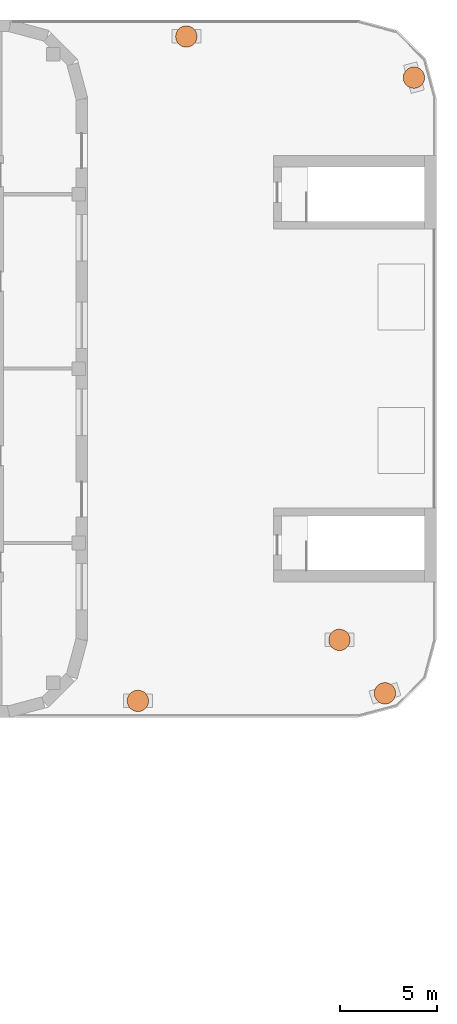
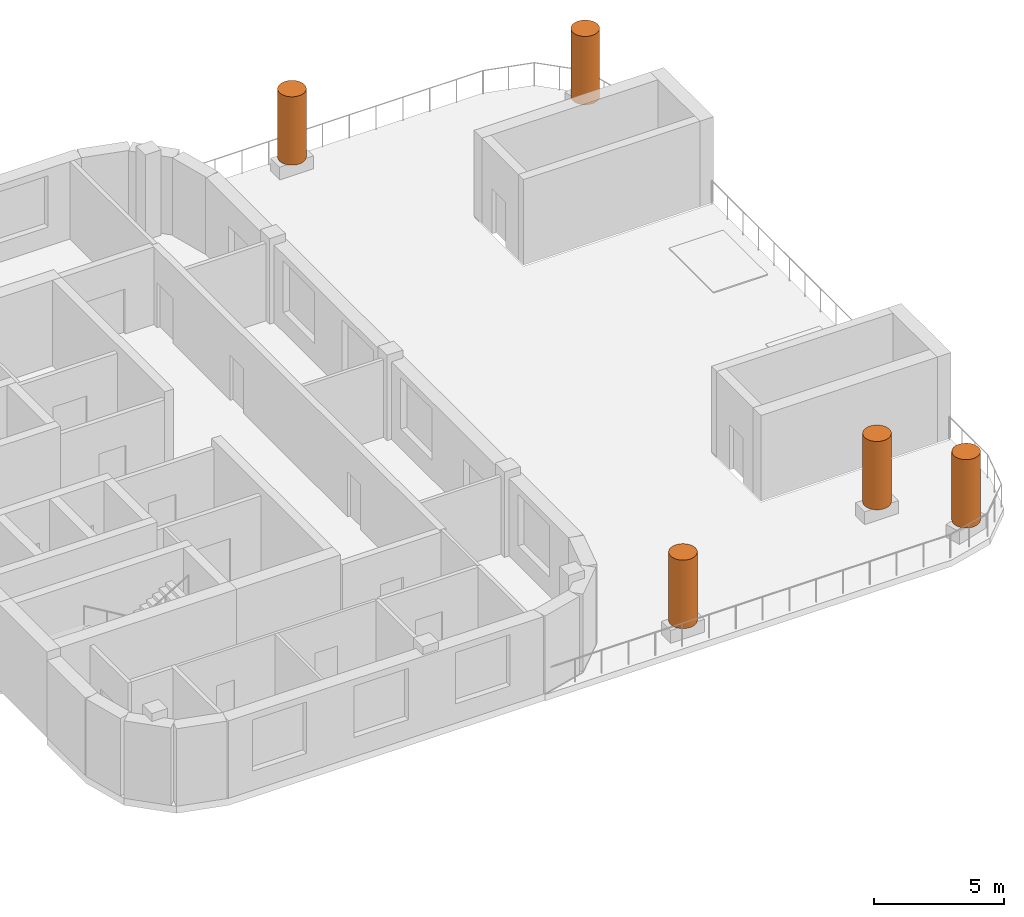
# One storey, part 14 of 14: 5 geographic elements.
"""IFC4 building model written with IfcOpenShell, lengths in metres."""

from ifc_helpers import new_model, si_unit, direction, frame, origin, origin_2d, place, context, subcontext, project, spatial, circle, extrude, element, save


model = new_model("IFC4")

# Units and contexts
model_context = context("Model", 3, precision=1e-05, world=origin(), true_north=direction((0.0, 1.0)))
body_context = subcontext(model_context, "Body", "Model", "MODEL_VIEW")
ifc_project = project(units=[si_unit("LENGTHUNIT", "METRE"), si_unit("AREAUNIT", "SQUARE_METRE"), si_unit("VOLUMEUNIT", "CUBIC_METRE"), si_unit("PLANEANGLEUNIT", "RADIAN"), si_unit("MASSUNIT", "GRAM", prefix="KILO")], contexts=[model_context])

# Site, building, storey
site_placement = place(None, origin())
site = spatial("IfcSite", under=ifc_project, at=site_placement, CompositionType="ELEMENT")
building_placement = place(site_placement, origin())
building = spatial("IfcBuilding", under=site, at=building_placement, Name="Skarvind Civic Tower", CompositionType="ELEMENT")
storey_placement = place(building_placement, frame((0.0, 0.0, 89.0)))
storey = spatial("IfcBuildingStorey", under=building, at=storey_placement, Name="L20", CompositionType="ELEMENT", Elevation=89.0)

# Geographic elements
for number, where, z_axis, x_axis, name in (
    (1, (165.845703125, 143.0234375, 0.60009765625), (0.0, 0.0, 1.0), (1.0, 0.0, 0.0), "ROOF GARDEN TREE"),
    (2, (164.34912109375, 111.241455078125, 0.60009765625), (0.0, 0.0, 1.0), (1.0, 0.0, 0.0), "ROOF GARDEN TREE"),
    (3, (151.595703125, 110.85009765625, 0.60009765625), (0.0, 0.0, 1.0), (1.0, 0.0, 0.0), "ROOF GARDEN TREE"),
    (4, (154.0966796875, 145.14990234375, 0.60009765625), (0.0, 0.0, 1.0), (1.0, 0.0, 0.0), "ROOF GARDEN TREE"),
    (5, (162.0, 114.0, 0.60009765625), (0.0, 0.0, 1.0), (1.0, 0.0, 0.0), "ROOF GARDEN TREE"),
):
    element("IfcGeographicElement", number, at=place(storey_placement, frame(where, z_axis=z_axis, x_axis=x_axis)), inside=storey, Name=name, ObjectType="TREE", PredefinedType="USERDEFINED", context=body_context, shape_type="SweptSolid", body=[
        extrude(circle(Radius=0.550048828125, at=origin_2d()), origin(), (0.0, 0.0, 1.0), 3.199951171875),
    ])

save(model, "model.ifc")
